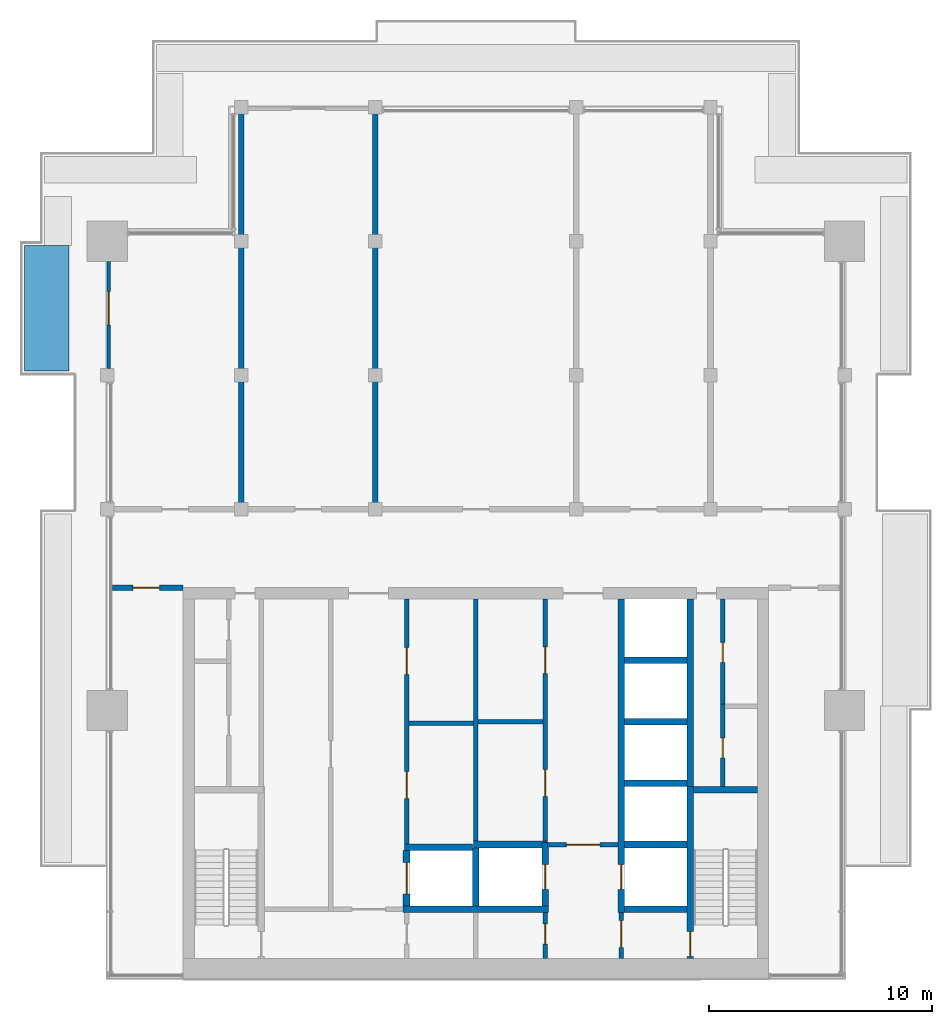
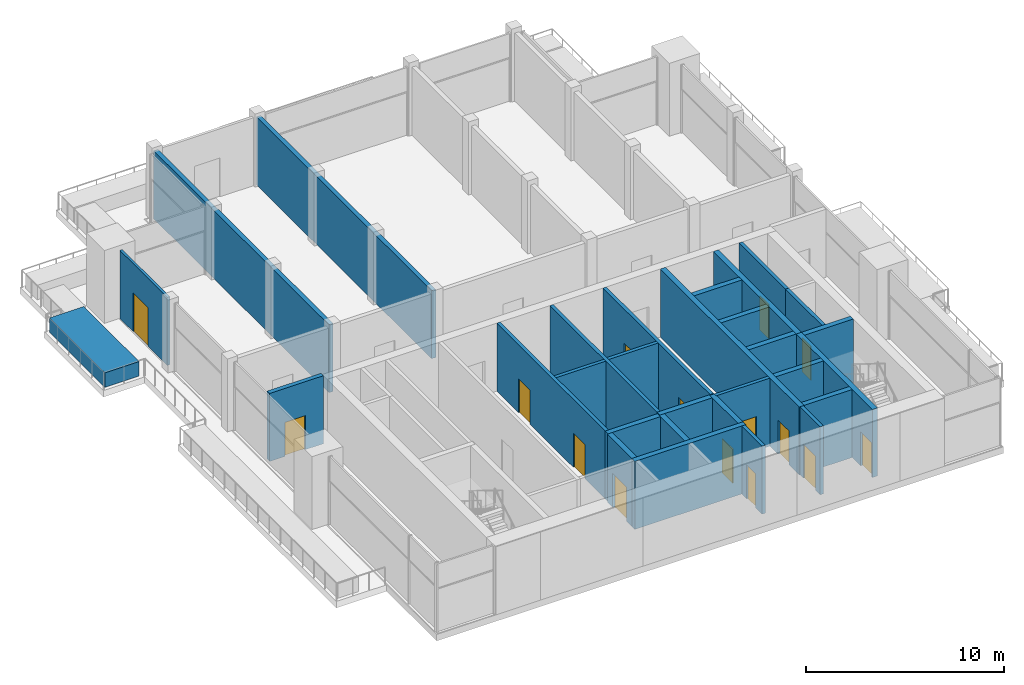
# One storey, part 6 of 9: 30 walls, 15 doors, 15 openings.
"""IFC4 building model written with IfcOpenShell, lengths in metres."""

from ifc_helpers import new_model, si_unit, direction, frame, frame_2d, origin, place, context, subcontext, project, spatial, rectangle, extrude, material, layer, layer_set, type_object, element, fill, save


model = new_model("IFC4")

# Units and contexts
model_context = context("Model", 3, precision=1e-05, world=origin(), true_north=direction((0.0, 1.0)))
body_context = subcontext(model_context, "Body", "Model", "MODEL_VIEW")
ifc_project = project(units=[si_unit("LENGTHUNIT", "METRE"), si_unit("AREAUNIT", "SQUARE_METRE"), si_unit("VOLUMEUNIT", "CUBIC_METRE"), si_unit("PLANEANGLEUNIT", "RADIAN"), si_unit("MASSUNIT", "GRAM", prefix="KILO")], contexts=[model_context])

# Site, building, storey
site_placement = place(None, origin())
site = spatial("IfcSite", under=ifc_project, at=site_placement, CompositionType="ELEMENT")
building_placement = place(site_placement, origin())
building = spatial("IfcBuilding", under=site, at=building_placement, Name="Finial Court Residences", CompositionType="ELEMENT")
storey_placement = place(building_placement, frame((0.0, 0.0, 298.699951171875)))
storey = spatial("IfcBuildingStorey", under=building, at=storey_placement, Name="L76", CompositionType="ELEMENT", Elevation=298.699951171875)

# Wall, opening, door
ifc_material_1 = material(Name="Fire-rated gypsum board partition")
ifc_layer_1 = layer(ifc_material_1, 0.199951171875)
ifc_layer_set_1 = layer_set([ifc_layer_1], Name="Firefighting lobby wall 200 EI 120")
wall_type_1 = type_object("IfcWallType", Name="Firefighting lobby wall 200 EI 120", PredefinedType="PARTITIONING", material=ifc_layer_set_1)
wall_1_placement = place(storey_placement, frame((6.35009765625, -19.5, 0.0), z_axis=(0.0, 0.0, 1.0), x_axis=(-1.0, 0.0, 0.0)))
wall_1 = element("IfcWall", 1, at=wall_1_placement, inside=storey, type_object=wall_type_1, Name="Core partition L76-07", PredefinedType="PARTITIONING", context=body_context, shape_type="SweptSolid", body=[
    extrude(rectangle(XDim=3.150146484375, YDim=0.199951171875, at=frame_2d((1.5751953125, 0.0))), origin(), (0.0, 0.0, 1.0), 4.199951171875),
])
opening_1_placement = place(wall_1_placement, frame((0.800048828125, 0.0, 0.0)))
opening_1 = element("IfcOpeningElement", 2, at=opening_1_placement, cuts=wall_1, Name="Opening L76-C02", PredefinedType="OPENING", context=body_context, shape_type="SweptSolid", body=[
    extrude(rectangle(XDim=1.5, YDim=2.10009765625, at=frame_2d((0.75, 1.050048828125))), frame((0.0, 0.10986328125, 0.0), z_axis=(0.0, -1.0, 0.0), x_axis=(1.0, 0.0, 0.0)), (0.0, 0.0, 1.0), 0.219970703125),
])
ifc_material_2 = material(Name="Steel fire door", Category="steel")
door_type_1 = type_object("IfcDoorType", Name="Firefighting lobby door 1500 x 2100 EI 90", OperationType="DOUBLE_DOOR_SINGLE_SWING", PredefinedType="DOOR", material=ifc_material_2)
door_1_placement = place(opening_1_placement, origin())
door_1 = element("IfcDoor", 3, at=door_1_placement, inside=storey, type_object=door_type_1, Name="Firefighting lobby door L76-C02", OperationType="DOUBLE_DOOR_SINGLE_SWING", OverallHeight=2.10009765625, OverallWidth=1.5, PredefinedType="DOOR", context=body_context, shape_type="SweptSolid", body=[
    extrude(rectangle(XDim=1.5, YDim=2.10009765625, at=frame_2d((0.75, 1.050048828125))), frame((0.0, 0.02490234375, 0.0), z_axis=(0.0, -1.0, 0.0), x_axis=(1.0, 0.0, 0.0)), (0.0, 0.0, 1.0), 0.050048828125),
])
fill(opening_1, door_1)

wall_2_placement = place(storey_placement, frame((3.10009765625, -24.60009765625, 0.0), z_axis=(0.0, 0.0, 1.0), x_axis=(0.0, 1.0, 0.0)))
wall_2 = element("IfcWall", 4, at=wall_2_placement, inside=storey, type_object=wall_type_1, Name="Core partition L76-29", PredefinedType="PARTITIONING", context=body_context, shape_type="SweptSolid", body=[
    extrude(rectangle(XDim=2.050048828125, YDim=0.199951171875, at=frame_2d((1.02490234375, 0.0))), origin(), (0.0, 0.0, 1.0), 4.199951171875),
])
opening_2_placement = place(wall_2_placement, frame((0.64990234375, 0.0, 0.0)))
opening_2 = element("IfcOpeningElement", 5, at=opening_2_placement, cuts=wall_2, Name="Opening L76-C15", PredefinedType="OPENING", context=body_context, shape_type="SweptSolid", body=[
    extrude(rectangle(XDim=0.89990234375, YDim=2.10009765625, at=frame_2d((0.449951171875, 1.050048828125))), frame((0.0, 0.10986328125, 0.0), z_axis=(0.0, -1.0, 0.0), x_axis=(1.0, 0.0, 0.0)), (0.0, 0.0, 1.0), 0.219970703125),
])
door_type_2 = type_object("IfcDoorType", Name="Riser room door 900 x 2100 EI 90", OperationType="NOTDEFINED", PredefinedType="DOOR", material=ifc_material_2)
door_2_placement = place(opening_2_placement, origin())
door_2 = element("IfcDoor", 6, at=door_2_placement, inside=storey, type_object=door_type_2, Name="Riser room door L76-C15", OperationType="SINGLE_SWING_LEFT", OverallHeight=2.10009765625, OverallWidth=0.89990234375, PredefinedType="DOOR", context=body_context, shape_type="SweptSolid", body=[
    extrude(rectangle(XDim=0.89990234375, YDim=2.10009765625, at=frame_2d((0.449951171875, 1.050048828125))), frame((0.0, 0.02490234375, 0.0), z_axis=(0.0, -1.0, 0.0), x_axis=(1.0, 0.0, 0.0)), (0.0, 0.0, 1.0), 0.050048828125),
])
fill(opening_2, door_2)

wall_3_placement = place(storey_placement, frame((6.5, -22.550048828125, 0.0), z_axis=(0.0, 0.0, 1.0), x_axis=(0.0, -1.0, 0.0)))
wall_3 = element("IfcWall", 7, at=wall_3_placement, inside=storey, type_object=wall_type_1, Name="Core partition L76-32", PredefinedType="PARTITIONING", context=body_context, shape_type="SweptSolid", body=[
    extrude(rectangle(XDim=2.050048828125, YDim=0.199951171875, at=frame_2d((1.02490234375, 0.0))), origin(), (0.0, 0.0, 1.0), 4.199951171875),
])
opening_3_placement = place(wall_3_placement, frame((0.35009765625, 0.0, 0.0)))
opening_3 = element("IfcOpeningElement", 8, at=opening_3_placement, cuts=wall_3, Name="Opening L76-C01", PredefinedType="OPENING", context=body_context, shape_type="SweptSolid", body=[
    extrude(rectangle(XDim=1.199951171875, YDim=2.10009765625, at=frame_2d((0.60009765625, 1.050048828125))), frame((0.0, 0.10986328125, 0.0), z_axis=(0.0, -1.0, 0.0), x_axis=(1.0, 0.0, 0.0)), (0.0, 0.0, 1.0), 0.219970703125),
])
door_type_3 = type_object("IfcDoorType", Name="Firefighting lobby door 1200 x 2100 EI 90", OperationType="NOTDEFINED", PredefinedType="DOOR", material=ifc_material_2)
door_3_placement = place(opening_3_placement, origin())
door_3 = element("IfcDoor", 9, at=door_3_placement, inside=storey, type_object=door_type_3, Name="Firefighting lobby door L76-C01", OperationType="SINGLE_SWING_RIGHT", OverallHeight=2.10009765625, OverallWidth=1.199951171875, PredefinedType="DOOR", context=body_context, shape_type="SweptSolid", body=[
    extrude(rectangle(XDim=1.199951171875, YDim=2.10009765625, at=frame_2d((0.60009765625, 1.050048828125))), frame((0.0, 0.02490234375, 0.0), z_axis=(0.0, -1.0, 0.0), x_axis=(1.0, 0.0, 0.0)), (0.0, 0.0, 1.0), 0.050048828125),
])
fill(opening_3, door_3)

# Walls
ifc_material_3 = material(Name="Concrete C50/60", Category="concrete")
ifc_layer_2 = layer(ifc_material_3, 0.300048828125)
ifc_layer_set_2 = layer_set([ifc_layer_2], Name="Lift shaft and stair wall 300 Concrete C50/60")
wall_type_2 = type_object("IfcWallType", Name="Lift shaft and stair wall 300 Concrete C50/60", PredefinedType="SHEAR", material=ifc_layer_set_2)
wall_4_placement = place(storey_placement, frame((-3.25, -22.39990234375, 0.0), z_axis=(0.0, 0.0, 1.0), x_axis=(1.0, 0.0, 0.0)))
element("IfcWall", 10, at=wall_4_placement, inside=storey, type_object=wall_type_2, Name="Core wall L76-03", PredefinedType="SHEAR", context=body_context, shape_type="SweptSolid", body=[
    extrude(rectangle(XDim=6.5, YDim=0.300048828125, at=frame_2d((3.25, 0.0))), origin(), (0.0, 0.0, 1.0), 4.199951171875),
])
wall_5_placement = place(storey_placement, frame((6.64990234375, -22.39990234375, 0.0), z_axis=(0.0, 0.0, 1.0), x_axis=(1.0, 0.0, 0.0)))
element("IfcWall", 11, at=wall_5_placement, inside=storey, type_object=wall_type_2, Name="Core wall L76-04", PredefinedType="SHEAR", context=body_context, shape_type="SweptSolid", body=[
    extrude(rectangle(XDim=2.800048828125, YDim=0.300048828125, at=frame_2d((1.39990234375, 0.0))), origin(), (0.0, 0.0, 1.0), 4.199951171875),
])
wall_6_placement = place(storey_placement, frame((-3.199951171875, -19.6201171875, 0.0), z_axis=(0.0, 0.0, 1.0), x_axis=(1.0, 0.0, 0.0)))
element("IfcWall", 12, at=wall_6_placement, inside=storey, type_object=wall_type_2, Name="Core wall L76-05", PredefinedType="SHEAR", context=body_context, shape_type="SweptSolid", body=[
    extrude(rectangle(XDim=3.050048828125, YDim=0.300048828125, at=frame_2d((1.52490234375, 0.0))), origin(), (0.0, 0.0, 1.0), 4.199951171875),
])
wall_7_placement = place(storey_placement, frame((-0.10009765625, -19.5, 0.0), z_axis=(0.0, 0.0, 1.0), x_axis=(1.0, 0.0, 0.0)))
element("IfcWall", 13, at=wall_7_placement, inside=storey, type_object=wall_type_2, Name="Core wall L76-06", PredefinedType="SHEAR", context=body_context, shape_type="SweptSolid", body=[
    extrude(rectangle(XDim=3.300048828125, YDim=0.300048828125, at=frame_2d((1.64990234375, 0.0))), origin(), (0.0, 0.0, 1.0), 4.199951171875),
])
wall_8_placement = place(storey_placement, frame((6.64990234375, -19.5, 0.0), z_axis=(0.0, 0.0, 1.0), x_axis=(1.0, 0.0, 0.0)))
element("IfcWall", 14, at=wall_8_placement, inside=storey, type_object=wall_type_2, Name="Core wall L76-08", PredefinedType="SHEAR", context=body_context, shape_type="SweptSolid", body=[
    extrude(rectangle(XDim=2.800048828125, YDim=0.300048828125, at=frame_2d((1.39990234375, 0.0))), origin(), (0.0, 0.0, 1.0), 4.199951171875),
])
wall_9_placement = place(storey_placement, frame((9.75, -17.050048828125, 0.0), z_axis=(0.0, 0.0, 1.0), x_axis=(1.0, 0.0, 0.0)))
element("IfcWall", 15, at=wall_9_placement, inside=storey, type_object=wall_type_2, Name="Core wall L76-10", PredefinedType="SHEAR", context=body_context, shape_type="SweptSolid", body=[
    extrude(rectangle(XDim=2.85009765625, YDim=0.300048828125, at=frame_2d((1.425048828125, 0.0))), origin(), (0.0, 0.0, 1.0), 4.199951171875),
])
for number, where, z_axis, x_axis, name in (
    (16, (6.64990234375, -16.75, 0.0), (0.0, 0.0, 1.0), (1.0, 0.0, 0.0), "Core wall L76-11"),
    (17, (6.64990234375, -14.0, 0.0), (0.0, 0.0, 1.0), (1.0, 0.0, 0.0), "Core wall L76-14"),
    (18, (6.64990234375, -11.25, 0.0), (0.0, 0.0, 1.0), (1.0, 0.0, 0.0), "Core wall L76-17"),
):
    element("IfcWall", number, at=place(storey_placement, frame(where, z_axis=z_axis, x_axis=x_axis)), inside=storey, type_object=wall_type_2, Name=name, PredefinedType="SHEAR", context=body_context, shape_type="SweptSolid", body=[
        extrude(rectangle(XDim=2.800048828125, YDim=0.300048828125, at=frame_2d((1.39990234375, 0.0))), origin(), (0.0, 0.0, 1.0), 4.199951171875),
    ])

# Wall, opening, door
wall_10_placement = place(storey_placement, frame((-3.10009765625, -22.25, 0.0), z_axis=(0.0, 0.0, 1.0), x_axis=(0.0, 1.0, 0.0)))
wall_10 = element("IfcWall", 19, at=wall_10_placement, inside=storey, type_object=wall_type_2, Name="Core wall L76-24", PredefinedType="SHEAR", context=body_context, shape_type="SweptSolid", body=[
    extrude(rectangle(XDim=2.47998046875, YDim=0.300048828125, at=frame_2d((1.239990234375, 0.0))), origin(), (0.0, 0.0, 1.0), 4.199951171875),
])
opening_4_placement = place(wall_10_placement, frame((0.5400390625, 0.0, 0.0)))
opening_4 = element("IfcOpeningElement", 20, at=opening_4_placement, cuts=wall_10, Name="Opening L76-LD03", PredefinedType="OPENING", context=body_context, shape_type="SweptSolid", body=[
    extrude(rectangle(XDim=1.39990234375, YDim=2.10009765625, at=frame_2d((0.699951171875, 1.050048828125))), frame((0.0, 0.159912109375, 0.0), z_axis=(0.0, -1.0, 0.0), x_axis=(1.0, 0.0, 0.0)), (0.0, 0.0, 1.0), 0.320068359375),
])
ifc_material_4 = material(Name="Stainless steel lift door", Category="steel")
door_type_4 = type_object("IfcDoorType", Name="Lift landing door 1400 x 2100 EI 90", OperationType="DOUBLE_DOOR_SLIDING", PredefinedType="DOOR", material=ifc_material_4)
door_4_placement = place(opening_4_placement, origin())
door_4 = element("IfcDoor", 21, at=door_4_placement, inside=storey, type_object=door_type_4, Name="Lift landing door SV1 L76", OperationType="DOUBLE_DOOR_SLIDING", OverallHeight=2.10009765625, OverallWidth=1.39990234375, PredefinedType="DOOR", context=body_context, shape_type="SweptSolid", body=[
    extrude(rectangle(XDim=1.39990234375, YDim=2.10009765625, at=frame_2d((0.699951171875, 1.050048828125))), frame((0.0, 0.02490234375, 0.0), z_axis=(0.0, -1.0, 0.0), x_axis=(1.0, 0.0, 0.0)), (0.0, 0.0, 1.0), 0.050048828125),
])
fill(opening_4, door_4)

# Wall
wall_11_placement = place(storey_placement, frame((0.0, -22.25, 0.0), z_axis=(0.0, 0.0, 1.0), x_axis=(0.0, 1.0, 0.0)))
element("IfcWall", 22, at=wall_11_placement, inside=storey, type_object=wall_type_2, Name="Core wall L76-27", PredefinedType="SHEAR", context=body_context, shape_type="SweptSolid", body=[
    extrude(rectangle(XDim=2.60009765625, YDim=0.300048828125, at=frame_2d((1.300048828125, 0.0))), origin(), (0.0, 0.0, 1.0), 4.199951171875),
])

# Wall, opening, door
wall_12_placement = place(storey_placement, frame((3.10009765625, -22.25, 0.0), z_axis=(0.0, 0.0, 1.0), x_axis=(0.0, 1.0, 0.0)))
wall_12 = element("IfcWall", 23, at=wall_12_placement, inside=storey, type_object=wall_type_2, Name="Core wall L76-30", PredefinedType="SHEAR", context=body_context, shape_type="SweptSolid", body=[
    extrude(rectangle(XDim=2.85009765625, YDim=0.300048828125, at=frame_2d((1.425048828125, 0.0))), origin(), (0.0, 0.0, 1.0), 4.199951171875),
])
opening_5_placement = place(wall_12_placement, frame((0.75, 0.0, 0.0)))
opening_5 = element("IfcOpeningElement", 24, at=opening_5_placement, cuts=wall_12, Name="Opening L76-LD01", PredefinedType="OPENING", context=body_context, shape_type="SweptSolid", body=[
    extrude(rectangle(XDim=1.10009765625, YDim=2.10009765625, at=frame_2d((0.550048828125, 1.050048828125))), frame((0.0, 0.159912109375, 0.0), z_axis=(0.0, -1.0, 0.0), x_axis=(1.0, 0.0, 0.0)), (0.0, 0.0, 1.0), 0.320068359375),
])
door_type_5 = type_object("IfcDoorType", Name="Lift landing door 1100 x 2100 EI 90", OperationType="DOUBLE_DOOR_SLIDING", PredefinedType="DOOR", material=ifc_material_4)
door_5_placement = place(opening_5_placement, origin())
door_5 = element("IfcDoor", 25, at=door_5_placement, inside=storey, type_object=door_type_5, Name="Lift landing door FF1 L76", OperationType="DOUBLE_DOOR_SLIDING", OverallHeight=2.10009765625, OverallWidth=1.10009765625, PredefinedType="DOOR", context=body_context, shape_type="SweptSolid", body=[
    extrude(rectangle(XDim=1.10009765625, YDim=2.10009765625, at=frame_2d((0.550048828125, 1.050048828125))), frame((0.0, 0.02490234375, 0.0), z_axis=(0.0, -1.0, 0.0), x_axis=(1.0, 0.0, 0.0)), (0.0, 0.0, 1.0), 0.050048828125),
])
fill(opening_5, door_5)

wall_13_placement = place(storey_placement, frame((6.5, -22.550048828125, 0.0), z_axis=(0.0, 0.0, 1.0), x_axis=(0.0, 1.0, 0.0)))
wall_13 = element("IfcWall", 26, at=wall_13_placement, inside=storey, type_object=wall_type_2, Name="Core wall L76-33", PredefinedType="SHEAR", context=body_context, shape_type="SweptSolid", body=[
    extrude(rectangle(XDim=14.050048828125, YDim=0.300048828125, at=frame_2d((7.02490234375, 0.0))), origin(), (0.0, 0.0, 1.0), 4.199951171875),
])
opening_6_placement = place(wall_13_placement, frame((1.050048828125, 0.0, 0.0)))
opening_6 = element("IfcOpeningElement", 27, at=opening_6_placement, cuts=wall_13, Name="Opening L76-LD02", PredefinedType="OPENING", context=body_context, shape_type="SweptSolid", body=[
    extrude(rectangle(XDim=1.10009765625, YDim=2.10009765625, at=frame_2d((0.550048828125, 1.050048828125))), frame((0.0, 0.159912109375, 0.0), z_axis=(0.0, -1.0, 0.0), x_axis=(1.0, 0.0, 0.0)), (0.0, 0.0, 1.0), 0.320068359375),
])
door_6_placement = place(opening_6_placement, origin())
door_6 = element("IfcDoor", 28, at=door_6_placement, inside=storey, type_object=door_type_5, Name="Lift landing door FF2 L76", OperationType="DOUBLE_DOOR_SLIDING", OverallHeight=2.10009765625, OverallWidth=1.10009765625, PredefinedType="DOOR", context=body_context, shape_type="SweptSolid", body=[
    extrude(rectangle(XDim=1.10009765625, YDim=2.10009765625, at=frame_2d((0.550048828125, 1.050048828125))), frame((0.0, 0.02490234375, 0.0), z_axis=(0.0, -1.0, 0.0), x_axis=(1.0, 0.0, 0.0)), (0.0, 0.0, 1.0), 0.050048828125),
])
fill(opening_6, door_6)

wall_14_placement = place(storey_placement, frame((9.60009765625, -16.89990234375, 0.0), z_axis=(0.0, 0.0, 1.0), x_axis=(0.0, -1.0, 0.0)))
wall_14 = element("IfcWall", 29, at=wall_14_placement, inside=storey, type_object=wall_type_2, Name="Core wall L76-34", PredefinedType="SHEAR", context=body_context, shape_type="SweptSolid", body=[
    extrude(rectangle(XDim=7.7001953125, YDim=0.300048828125, at=frame_2d((3.85009765625, 0.0))), origin(), (0.0, 0.0, 1.0), 4.199951171875),
])
opening_7_placement = place(wall_14_placement, frame((6.5, 0.0, 0.0)))
opening_7 = element("IfcOpeningElement", 30, at=opening_7_placement, cuts=wall_14, Name="Opening L76-C20", PredefinedType="OPENING", context=body_context, shape_type="SweptSolid", body=[
    extrude(rectangle(XDim=1.10009765625, YDim=2.10009765625, at=frame_2d((0.550048828125, 1.050048828125))), frame((0.0, 0.159912109375, 0.0), z_axis=(0.0, -1.0, 0.0), x_axis=(1.0, 0.0, 0.0)), (0.0, 0.0, 1.0), 0.320068359375),
])
door_type_6 = type_object("IfcDoorType", Name="Stair door 1100 x 2100 EI 90", OperationType="NOTDEFINED", PredefinedType="DOOR", material=ifc_material_2)
door_7_placement = place(opening_7_placement, origin())
door_7 = element("IfcDoor", 31, at=door_7_placement, inside=storey, type_object=door_type_6, Name="Stair door L76-C20", OperationType="SINGLE_SWING_RIGHT", OverallHeight=2.10009765625, OverallWidth=1.10009765625, PredefinedType="DOOR", context=body_context, shape_type="SweptSolid", body=[
    extrude(rectangle(XDim=1.10009765625, YDim=2.10009765625, at=frame_2d((0.550048828125, 1.050048828125))), frame((0.0, 0.02490234375, 0.0), z_axis=(0.0, -1.0, 0.0), x_axis=(1.0, 0.0, 0.0)), (0.0, 0.0, 1.0), 0.050048828125),
])
fill(opening_7, door_7)

# Wall
wall_15_placement = place(storey_placement, frame((9.60009765625, -17.199951171875, 0.0), z_axis=(0.0, 0.0, 1.0), x_axis=(0.0, 1.0, 0.0)))
element("IfcWall", 32, at=wall_15_placement, inside=storey, type_object=wall_type_2, Name="Core wall L76-35", PredefinedType="SHEAR", context=body_context, shape_type="SweptSolid", body=[
    extrude(rectangle(XDim=8.699951171875, YDim=0.300048828125, at=frame_2d((4.35009765625, 0.0))), origin(), (0.0, 0.0, 1.0), 4.199951171875),
])

# Wall, opening, door
ifc_material_5 = material(Name="Natural limestone", Category="masonry")
ifc_layer_3 = layer(ifc_material_5, 0.14990234375)
ifc_layer_set_3 = layer_set([ifc_layer_3], Name="Limestone clad wall 150")
wall_type_3 = type_object("IfcWallType", Name="Limestone clad wall 150", PredefinedType="SOLIDWALL", material=ifc_layer_set_3)
wall_16_placement = place(storey_placement, frame((-16.425048828125, 1.800048828125, 0.0), z_axis=(0.0, 0.0, 1.0), x_axis=(0.0, 1.0, 0.0)))
wall_16 = element("IfcWall", 33, at=wall_16_placement, inside=storey, type_object=wall_type_3, Name="E-L76-L76-TD2-W", PredefinedType="SOLIDWALL", context=body_context, shape_type="SweptSolid", body=[
    extrude(rectangle(XDim=4.800048828125, YDim=0.14990234375, at=frame_2d((2.39990234375, 0.0))), origin(), (0.0, 0.0, 1.0), 4.199951171875),
])
opening_8_placement = place(wall_16_placement, frame((1.949951171875, 0.0, 0.0)))
opening_8 = element("IfcOpeningElement", 34, at=opening_8_placement, cuts=wall_16, Name="Opening DE76-02", PredefinedType="OPENING", context=body_context, shape_type="SweptSolid", body=[
    extrude(rectangle(XDim=1.5, YDim=2.39990234375, at=frame_2d((0.75, 1.199951171875))), frame((0.0, 0.0849609375, 0.0), z_axis=(0.0, -1.0, 0.0), x_axis=(1.0, 0.0, 0.0)), (0.0, 0.0, 1.0), 0.169921875),
])
ifc_material_6 = material(Name="Bronze anodised aluminium", Category="aluminium")
door_type_7 = type_object("IfcDoorType", Name="Terrace door 1500 x 2400", OperationType="DOUBLE_DOOR_SINGLE_SWING", PredefinedType="DOOR", material=ifc_material_6)
door_8_placement = place(opening_8_placement, origin())
door_8 = element("IfcDoor", 35, at=door_8_placement, inside=storey, type_object=door_type_7, Name="E-L76-L76-TD2-W-D", OperationType="DOUBLE_DOOR_SINGLE_SWING", OverallHeight=2.39990234375, OverallWidth=1.5, PredefinedType="DOOR", context=body_context, shape_type="SweptSolid", body=[
    extrude(rectangle(XDim=1.5, YDim=2.39990234375, at=frame_2d((0.75, 1.199951171875))), frame((0.0, 0.02490234375, 0.0), z_axis=(0.0, -1.0, 0.0), x_axis=(1.0, 0.0, 0.0)), (0.0, 0.0, 1.0), 0.050048828125),
])
fill(opening_8, door_8)

ifc_material_7 = material(Name="Fire-rated board")
ifc_layer_4 = layer(ifc_material_7, 0.050048828125)
ifc_material_8 = material(Name="Mineral wool in double frame")
ifc_layer_5 = layer(ifc_material_8, 0.14990234375)
ifc_layer_6 = layer(ifc_material_7, 0.050048828125)
ifc_layer_set_4 = layer_set([ifc_layer_4, ifc_layer_5, ifc_layer_6], Name="Plant room wall 250, 2 hour")
wall_type_4 = type_object("IfcWallType", Name="Plant room wall 250, 2 hour", PredefinedType="PARTITIONING", material=ifc_layer_set_4)
wall_17_placement = place(storey_placement, frame((-16.25, -8.0, 0.0), z_axis=(0.0, 0.0, 1.0), x_axis=(1.0, 0.0, 0.0)))
wall_17 = element("IfcWall", 36, at=wall_17_placement, inside=storey, type_object=wall_type_4, Name="Partition L76-000", PredefinedType="PARTITIONING", context=body_context, shape_type="SweptSolid", body=[
    extrude(rectangle(XDim=3.14990234375, YDim=0.25, at=frame_2d((1.574951171875, 0.0))), origin(), (0.0, 0.0, 1.0), 4.199951171875),
])
opening_9_placement = place(wall_17_placement, frame((0.89990234375, 0.0, 0.0)))
opening_9 = element("IfcOpeningElement", 37, at=opening_9_placement, cuts=wall_17, Name="Opening L76-D001", PredefinedType="OPENING", context=body_context, shape_type="SweptSolid", body=[
    extrude(rectangle(XDim=1.199951171875, YDim=2.10009765625, at=frame_2d((0.60009765625, 1.050048828125))), frame((0.0, 0.135009765625, 0.0), z_axis=(0.0, -1.0, 0.0), x_axis=(1.0, 0.0, 0.0)), (0.0, 0.0, 1.0), 0.27001953125),
])
ifc_material_9 = material(Name="Timber door leaf in hollow metal frame", Category="wood")
door_type_8 = type_object("IfcDoorType", Name="Fire door set 1200 x 2100, 60 minutes", OperationType="SINGLE_SWING_LEFT", PredefinedType="DOOR", material=ifc_material_9)
door_9_placement = place(opening_9_placement, origin())
door_9 = element("IfcDoor", 38, at=door_9_placement, inside=storey, type_object=door_type_8, Name="Door L76-D001", OperationType="SINGLE_SWING_LEFT", OverallHeight=2.10009765625, OverallWidth=1.199951171875, PredefinedType="DOOR", context=body_context, shape_type="SweptSolid", body=[
    extrude(rectangle(XDim=1.199951171875, YDim=2.10009765625, at=frame_2d((0.60009765625, 1.050048828125))), frame((0.0, 0.02490234375, 0.0), z_axis=(0.0, -1.0, 0.0), x_axis=(1.0, 0.0, 0.0)), (0.0, 0.0, 1.0), 0.050048828125),
])
fill(opening_9, door_9)

# Walls
for number, where, z_axis, x_axis, name in (
    (39, (-10.5, -4.375, 0.0), (0.0, 0.0, 1.0), (0.0, 1.0, 0.0), "Partition L76-003"),
    (40, (-4.5, -4.375, 0.0), (0.0, 0.0, 1.0), (0.0, 1.0, 0.0), "Partition L76-004"),
):
    element("IfcWall", number, at=place(storey_placement, frame(where, z_axis=z_axis, x_axis=x_axis)), inside=storey, type_object=wall_type_4, Name=name, PredefinedType="PARTITIONING", context=body_context, shape_type="SweptSolid", body=[
        extrude(rectangle(XDim=17.72509765625, YDim=0.25, at=frame_2d((8.862548828125, 0.0))), origin(), (0.0, 0.0, 1.0), 4.199951171875),
    ])
ifc_material_10 = material(Name="Concrete C40/50", Category="concrete")
ifc_layer_7 = layer(ifc_material_10, 0.199951171875)
ifc_material_11 = material(Name="Planting soil", Category="soil")
ifc_layer_8 = layer(ifc_material_11, 1.60009765625)
ifc_layer_9 = layer(ifc_material_10, 0.199951171875)
ifc_layer_set_5 = layer_set([ifc_layer_7, ifc_layer_8, ifc_layer_9], Name="Planter wall, terrace 2000")
wall_type_5 = type_object("IfcWallType", Name="Planter wall, terrace 2000", PredefinedType="USERDEFINED", material=ifc_layer_set_5)
wall_18_placement = place(storey_placement, frame((-19.199951171875, 1.699951171875, 0.0), z_axis=(0.0, 0.0, 1.0), x_axis=(0.0, 1.0, 0.0)))
element("IfcWall", 41, at=wall_18_placement, inside=storey, type_object=wall_type_5, Name="E-L76-TER1-PL1", ObjectType="PLANTER", PredefinedType="USERDEFINED", context=body_context, shape_type="SweptSolid", body=[
    extrude(rectangle(XDim=5.60009765625, YDim=2.0, at=frame_2d((2.800048828125, 0.0))), origin(), (0.0, 0.0, 1.0), 0.900146484375),
])
ifc_layer_10 = layer(ifc_material_1, 0.199951171875)
ifc_layer_set_6 = layer_set([ifc_layer_10], Name="Riser room wall 200 EI 120")
wall_type_6 = type_object("IfcWallType", Name="Riser room wall 200 EI 120", PredefinedType="PARTITIONING", material=ifc_layer_set_6)
for number, where, z_axis, x_axis, name in (
    (42, (-3.0, -14.06005859375, 0.0), (0.0, 0.0, 1.0), (1.0, 0.0, 0.0), "Core partition L76-12"),
    (43, (0.10009765625, -14.0, 0.0), (0.0, 0.0, 1.0), (1.0, 0.0, 0.0), "Core partition L76-13"),
):
    element("IfcWall", number, at=place(storey_placement, frame(where, z_axis=z_axis, x_axis=x_axis)), inside=storey, type_object=wall_type_6, Name=name, PredefinedType="PARTITIONING", context=body_context, shape_type="SweptSolid", body=[
        extrude(rectangle(XDim=2.89990234375, YDim=0.199951171875, at=frame_2d((1.449951171875, 0.0))), origin(), (0.0, 0.0, 1.0), 4.199951171875),
    ])

# Wall, openings, doors
wall_19_placement = place(storey_placement, frame((-3.10009765625, -8.5, 0.0), z_axis=(0.0, 0.0, 1.0), x_axis=(0.0, -1.0, 0.0)))
wall_19 = element("IfcWall", 44, at=wall_19_placement, inside=storey, type_object=wall_type_6, Name="Core partition L76-25", PredefinedType="PARTITIONING", context=body_context, shape_type="SweptSolid", body=[
    extrude(rectangle(XDim=10.969970703125, YDim=0.199951171875, at=frame_2d((5.48486328125, 0.0))), origin(), (0.0, 0.0, 1.0), 4.199951171875),
])
opening_10_placement = place(wall_19_placement, frame((7.739990234375, 0.0, 0.0)))
opening_10 = element("IfcOpeningElement", 45, at=opening_10_placement, cuts=wall_19, Name="Opening L76-C09", PredefinedType="OPENING", context=body_context, shape_type="SweptSolid", body=[
    extrude(rectangle(XDim=1.199951171875, YDim=2.10009765625, at=frame_2d((0.60009765625, 1.050048828125))), frame((0.0, 0.10986328125, 0.0), z_axis=(0.0, -1.0, 0.0), x_axis=(1.0, 0.0, 0.0)), (0.0, 0.0, 1.0), 0.219970703125),
])
opening_11_placement = place(wall_19_placement, frame((2.179931640625, 0.0, 0.0)))
opening_11 = element("IfcOpeningElement", 46, at=opening_11_placement, cuts=wall_19, Name="Opening L76-C10", PredefinedType="OPENING", context=body_context, shape_type="SweptSolid", body=[
    extrude(rectangle(XDim=1.199951171875, YDim=2.10009765625, at=frame_2d((0.60009765625, 1.050048828125))), frame((0.0, 0.10986328125, 0.0), z_axis=(0.0, -1.0, 0.0), x_axis=(1.0, 0.0, 0.0)), (0.0, 0.0, 1.0), 0.219970703125),
])
door_type_9 = type_object("IfcDoorType", Name="Riser room door 1200 x 2100 EI 90", OperationType="NOTDEFINED", PredefinedType="DOOR", material=ifc_material_2)
door_10_placement = place(opening_10_placement, origin())
door_10 = element("IfcDoor", 47, at=door_10_placement, inside=storey, type_object=door_type_9, Name="Riser room door L76-C09", OperationType="SINGLE_SWING_LEFT", OverallHeight=2.10009765625, OverallWidth=1.199951171875, PredefinedType="DOOR", context=body_context, shape_type="SweptSolid", body=[
    extrude(rectangle(XDim=1.199951171875, YDim=2.10009765625, at=frame_2d((0.60009765625, 1.050048828125))), frame((0.0, 0.02490234375, 0.0), z_axis=(0.0, -1.0, 0.0), x_axis=(1.0, 0.0, 0.0)), (0.0, 0.0, 1.0), 0.050048828125),
])
fill(opening_10, door_10)
door_11_placement = place(opening_11_placement, origin())
door_11 = element("IfcDoor", 48, at=door_11_placement, inside=storey, type_object=door_type_9, Name="Riser room door L76-C10", OperationType="SINGLE_SWING_LEFT", OverallHeight=2.10009765625, OverallWidth=1.199951171875, PredefinedType="DOOR", context=body_context, shape_type="SweptSolid", body=[
    extrude(rectangle(XDim=1.199951171875, YDim=2.10009765625, at=frame_2d((0.60009765625, 1.050048828125))), frame((0.0, 0.02490234375, 0.0), z_axis=(0.0, -1.0, 0.0), x_axis=(1.0, 0.0, 0.0)), (0.0, 0.0, 1.0), 0.050048828125),
])
fill(opening_11, door_11)

# Wall
wall_20_placement = place(storey_placement, frame((0.0, -19.35009765625, 0.0), z_axis=(0.0, 0.0, 1.0), x_axis=(0.0, 1.0, 0.0)))
element("IfcWall", 49, at=wall_20_placement, inside=storey, type_object=wall_type_6, Name="Core partition L76-28", PredefinedType="PARTITIONING", context=body_context, shape_type="SweptSolid", body=[
    extrude(rectangle(XDim=10.85009765625, YDim=0.199951171875, at=frame_2d((5.425048828125, 0.0))), origin(), (0.0, 0.0, 1.0), 4.199951171875),
])

# Wall, openings, doors
wall_21_placement = place(storey_placement, frame((3.10009765625, -19.60009765625, 0.0), z_axis=(0.0, 0.0, 1.0), x_axis=(0.0, 1.0, 0.0)))
wall_21 = element("IfcWall", 50, at=wall_21_placement, inside=storey, type_object=wall_type_6, Name="Core partition L76-31", PredefinedType="PARTITIONING", context=body_context, shape_type="SweptSolid", body=[
    extrude(rectangle(XDim=11.10009765625, YDim=0.199951171875, at=frame_2d((5.550048828125, 0.0))), origin(), (0.0, 0.0, 1.0), 4.199951171875),
])
opening_12_placement = place(wall_21_placement, frame((2.25, 0.0, 0.0)))
opening_12 = element("IfcOpeningElement", 51, at=opening_12_placement, cuts=wall_21, Name="Opening L76-C11", PredefinedType="OPENING", context=body_context, shape_type="SweptSolid", body=[
    extrude(rectangle(XDim=1.199951171875, YDim=2.10009765625, at=frame_2d((0.60009765625, 1.050048828125))), frame((0.0, 0.10986328125, 0.0), z_axis=(0.0, -1.0, 0.0), x_axis=(1.0, 0.0, 0.0)), (0.0, 0.0, 1.0), 0.219970703125),
])
opening_13_placement = place(wall_21_placement, frame((7.75, 0.0, 0.0)))
opening_13 = element("IfcOpeningElement", 52, at=opening_13_placement, cuts=wall_21, Name="Opening L76-C12", PredefinedType="OPENING", context=body_context, shape_type="SweptSolid", body=[
    extrude(rectangle(XDim=1.199951171875, YDim=2.10009765625, at=frame_2d((0.60009765625, 1.050048828125))), frame((0.0, 0.10986328125, 0.0), z_axis=(0.0, -1.0, 0.0), x_axis=(1.0, 0.0, 0.0)), (0.0, 0.0, 1.0), 0.219970703125),
])
door_12_placement = place(opening_12_placement, origin())
door_12 = element("IfcDoor", 53, at=door_12_placement, inside=storey, type_object=door_type_9, Name="Riser room door L76-C11", OperationType="SINGLE_SWING_LEFT", OverallHeight=2.10009765625, OverallWidth=1.199951171875, PredefinedType="DOOR", context=body_context, shape_type="SweptSolid", body=[
    extrude(rectangle(XDim=1.199951171875, YDim=2.10009765625, at=frame_2d((0.60009765625, 1.050048828125))), frame((0.0, 0.02490234375, 0.0), z_axis=(0.0, -1.0, 0.0), x_axis=(1.0, 0.0, 0.0)), (0.0, 0.0, 1.0), 0.050048828125),
])
fill(opening_12, door_12)
door_13_placement = place(opening_13_placement, origin())
door_13 = element("IfcDoor", 54, at=door_13_placement, inside=storey, type_object=door_type_9, Name="Riser room door L76-C12", OperationType="SINGLE_SWING_LEFT", OverallHeight=2.10009765625, OverallWidth=1.199951171875, PredefinedType="DOOR", context=body_context, shape_type="SweptSolid", body=[
    extrude(rectangle(XDim=1.199951171875, YDim=2.10009765625, at=frame_2d((0.60009765625, 1.050048828125))), frame((0.0, 0.02490234375, 0.0), z_axis=(0.0, -1.0, 0.0), x_axis=(1.0, 0.0, 0.0)), (0.0, 0.0, 1.0), 0.050048828125),
])
fill(opening_13, door_13)

# Wall, opening, door
wall_22_placement = place(storey_placement, frame((11.050048828125, -8.5, 0.0), z_axis=(0.0, 0.0, 1.0), x_axis=(0.0, -1.0, 0.0)))
wall_22 = element("IfcWall", 55, at=wall_22_placement, inside=storey, type_object=wall_type_6, Name="Core partition L76-37", PredefinedType="PARTITIONING", context=body_context, shape_type="SweptSolid", body=[
    extrude(rectangle(XDim=4.89990234375, YDim=0.199951171875, at=frame_2d((2.449951171875, 0.0))), origin(), (0.0, 0.0, 1.0), 4.199951171875),
])
opening_14_placement = place(wall_22_placement, frame((1.949951171875, 0.0, 0.0)))
opening_14 = element("IfcOpeningElement", 56, at=opening_14_placement, cuts=wall_22, Name="Opening L76-C07", PredefinedType="OPENING", context=body_context, shape_type="SweptSolid", body=[
    extrude(rectangle(XDim=0.89990234375, YDim=2.10009765625, at=frame_2d((0.449951171875, 1.050048828125))), frame((0.0, 0.10986328125, 0.0), z_axis=(0.0, -1.0, 0.0), x_axis=(1.0, 0.0, 0.0)), (0.0, 0.0, 1.0), 0.219970703125),
])
door_14_placement = place(opening_14_placement, origin())
door_14 = element("IfcDoor", 57, at=door_14_placement, inside=storey, type_object=door_type_2, Name="Riser room door L76-C07", OperationType="SINGLE_SWING_RIGHT", OverallHeight=2.10009765625, OverallWidth=0.89990234375, PredefinedType="DOOR", context=body_context, shape_type="SweptSolid", body=[
    extrude(rectangle(XDim=0.89990234375, YDim=2.10009765625, at=frame_2d((0.449951171875, 1.050048828125))), frame((0.0, 0.02490234375, 0.0), z_axis=(0.0, -1.0, 0.0), x_axis=(1.0, 0.0, 0.0)), (0.0, 0.0, 1.0), 0.050048828125),
])
fill(opening_14, door_14)

ifc_layer_11 = layer(ifc_material_1, 0.199951171875)
ifc_layer_set_7 = layer_set([ifc_layer_11], Name="Stair passage wall 200 EI 180")
wall_type_7 = type_object("IfcWallType", Name="Stair passage wall 200 EI 180", PredefinedType="PARTITIONING", material=ifc_layer_set_7)
wall_23_placement = place(storey_placement, frame((11.050048828125, -13.199951171875, 0.0), z_axis=(0.0, 0.0, 1.0), x_axis=(0.0, -1.0, 0.0)))
wall_23 = element("IfcWall", 58, at=wall_23_placement, inside=storey, type_object=wall_type_7, Name="Core partition L76-36", PredefinedType="PARTITIONING", context=body_context, shape_type="SweptSolid", body=[
    extrude(rectangle(XDim=3.699951171875, YDim=0.199951171875, at=frame_2d((1.85009765625, 0.0))), origin(), (0.0, 0.0, 1.0), 4.199951171875),
])
opening_15_placement = place(wall_23_placement, frame((1.52490234375, 0.0, 0.0)))
opening_15 = element("IfcOpeningElement", 59, at=opening_15_placement, cuts=wall_23, Name="Opening L76-C18", PredefinedType="OPENING", context=body_context, shape_type="SweptSolid", body=[
    extrude(rectangle(XDim=0.89990234375, YDim=2.10009765625, at=frame_2d((0.449951171875, 1.050048828125))), frame((0.0, 0.10986328125, 0.0), z_axis=(0.0, -1.0, 0.0), x_axis=(1.0, 0.0, 0.0)), (0.0, 0.0, 1.0), 0.219970703125),
])
door_type_10 = type_object("IfcDoorType", Name="Core room door 900 x 2100 EI 60", OperationType="NOTDEFINED", PredefinedType="DOOR", material=ifc_material_2)
door_15_placement = place(opening_15_placement, origin())
door_15 = element("IfcDoor", 60, at=door_15_placement, inside=storey, type_object=door_type_10, Name="Core room door L76-C18", OperationType="SINGLE_SWING_RIGHT", OverallHeight=2.10009765625, OverallWidth=0.89990234375, PredefinedType="DOOR", context=body_context, shape_type="SweptSolid", body=[
    extrude(rectangle(XDim=0.89990234375, YDim=2.10009765625, at=frame_2d((0.449951171875, 1.050048828125))), frame((0.0, 0.02490234375, 0.0), z_axis=(0.0, -1.0, 0.0), x_axis=(1.0, 0.0, 0.0)), (0.0, 0.0, 1.0), 0.050048828125),
])
fill(opening_15, door_15)

save(model, "model.ifc")
